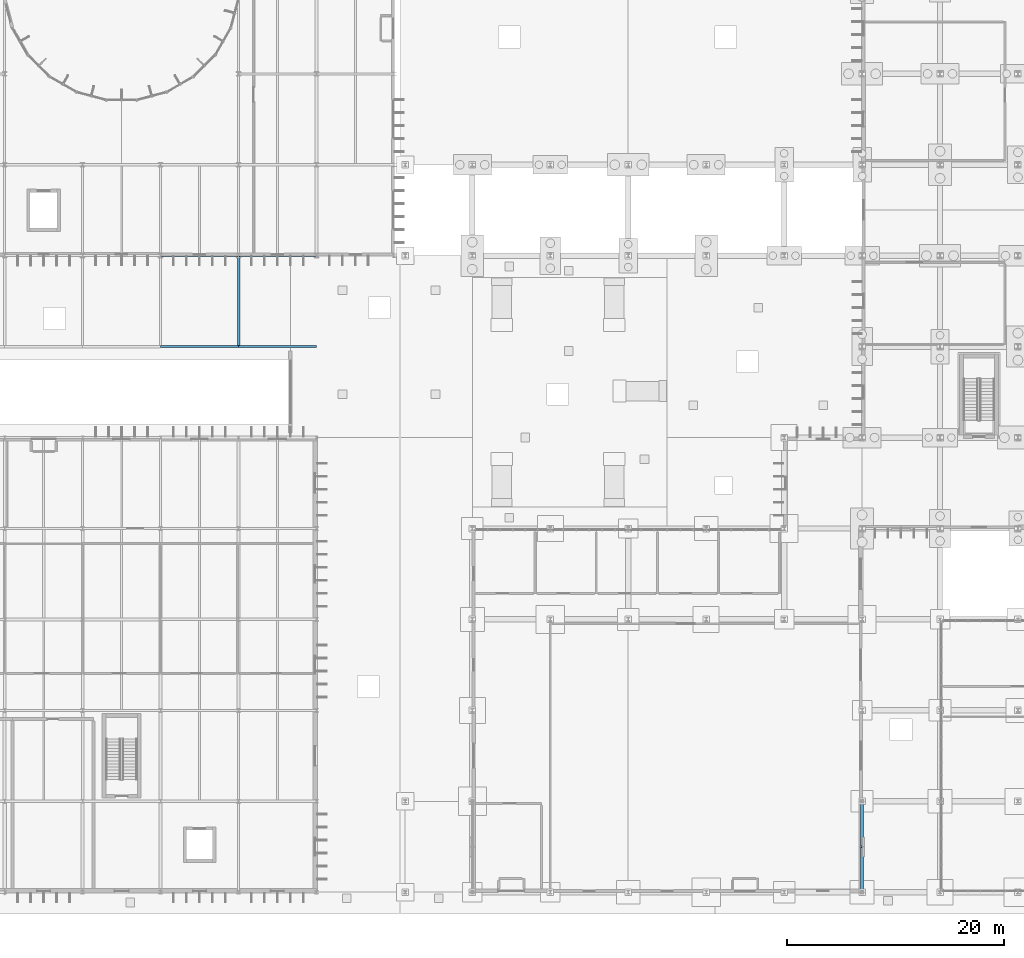
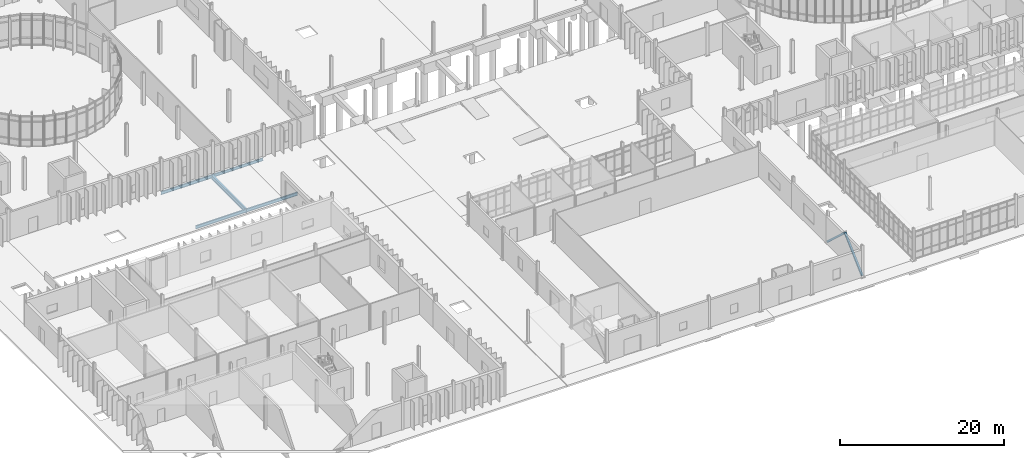
# One storey, part 33 of 118: 5 beams, 2 members.
"""IFC4 building model written with IfcOpenShell, lengths in metres."""

from ifc_helpers import new_model, si_unit, direction, frame, origin, origin_2d, place, context, subcontext, project, spatial, hollow_rectangle, i_section, extrude, material, material_profile, profile_set, type_object, element, save


model = new_model("IFC4")

# Units and contexts
model_context = context("Model", 3, precision=1e-05, world=origin(), true_north=direction((0.0, 1.0)))
body_context = subcontext(model_context, "Body", "Model", "MODEL_VIEW")
ifc_project = project(units=[si_unit("LENGTHUNIT", "METRE"), si_unit("AREAUNIT", "SQUARE_METRE"), si_unit("VOLUMEUNIT", "CUBIC_METRE"), si_unit("PLANEANGLEUNIT", "RADIAN"), si_unit("MASSUNIT", "GRAM", prefix="KILO")], contexts=[model_context])

# Site, building, storey
site_placement = place(None, origin())
site = spatial("IfcSite", under=ifc_project, at=site_placement, CompositionType="ELEMENT")
building_placement = place(site_placement, origin())
building = spatial("IfcBuilding", under=site, at=building_placement, Name="Qelthora Terrace Specialist Clinic", CompositionType="ELEMENT")
storey_placement = place(building_placement, origin())
storey = spatial("IfcBuildingStorey", under=building, at=storey_placement, Name="L00", CompositionType="ELEMENT", Elevation=0.0)

# Beams
ifc_material = material(Name="Steel S355", Category="steel")
ifc_material_profile_1 = material_profile(ifc_material, i_section(OverallWidth=0.178955078125, OverallDepth=0.409912109375, WebThickness=0.0087890625, FlangeThickness=0.014404296875, FilletRadius=0.011962890625, at=origin_2d()), Name="W410X67")
ifc_profile_set_1 = profile_set([ifc_material_profile_1], Name="Steel S355")
beam_type_1 = type_object("IfcBeamType", Name="BM-W410X67", PredefinedType="BEAM", material=ifc_profile_set_1)
beam_1_placement = place(storey_placement, frame((36.0, 58.800048828125, -0.458984375), z_axis=(1.0, 0.0, 0.0), x_axis=(0.0, 1.0, 0.0)))
element("IfcBeam", 1, at=beam_1_placement, inside=storey, type_object=beam_type_1, Name="Girder BMX-L00-0042", PredefinedType="BEAM", context=body_context, shape_type="SweptSolid", body=[
    extrude(i_section(OverallWidth=0.178955078125, OverallDepth=0.409912109375, WebThickness=0.0087890625, FlangeThickness=0.014404296875, FilletRadius=0.011962890625, at=origin_2d()), origin(), (0.0, 0.0, 1.0), 7.199951171875),
])
ifc_material_profile_2 = material_profile(ifc_material, i_section(OverallWidth=0.19091796875, OverallDepth=0.4599609375, WebThickness=0.010009765625, FlangeThickness=0.01611328125, FilletRadius=0.012939453125, at=origin_2d()), Name="W460X82")
ifc_profile_set_2 = profile_set([ifc_material_profile_2], Name="Steel S355")
beam_type_2 = type_object("IfcBeamType", Name="BM-W460X82", PredefinedType="BEAM", material=ifc_profile_set_2)
for number, where, z_axis, x_axis, name in (
    (2, (36.0, 50.39990234375, -0.48388671875), (1.0, 0.0, 0.0), (0.0, 1.0, 0.0), "Girder BMX-L00-0036"),
    (3, (28.800048828125, 58.800048828125, -0.48388671875), (1.0, 0.0, 0.0), (0.0, 1.0, 0.0), "Girder BMX-L00-0041"),
):
    element("IfcBeam", number, at=place(storey_placement, frame(where, z_axis=z_axis, x_axis=x_axis)), inside=storey, type_object=beam_type_2, Name=name, PredefinedType="BEAM", context=body_context, shape_type="SweptSolid", body=[
        extrude(i_section(OverallWidth=0.19091796875, OverallDepth=0.4599609375, WebThickness=0.010009765625, FlangeThickness=0.01611328125, FilletRadius=0.012939453125, at=origin_2d()), origin(), (0.0, 0.0, 1.0), 7.199951171875),
    ])
ifc_material_profile_3 = material_profile(ifc_material, i_section(OverallWidth=0.193115234375, OverallDepth=0.466064453125, WebThickness=0.011474609375, FlangeThickness=0.01904296875, FilletRadius=0.012939453125, at=origin_2d()), Name="W460X97")
ifc_profile_set_3 = profile_set([ifc_material_profile_3], Name="Steel S355")
beam_type_3 = type_object("IfcBeamType", Name="BM-W460X97", PredefinedType="BEAM", material=ifc_profile_set_3)
beam_2_placement = place(storey_placement, frame((28.800048828125, 50.39990234375, -0.487060546875), z_axis=(1.0, 0.0, 0.0), x_axis=(0.0, 1.0, 0.0)))
element("IfcBeam", 4, at=beam_2_placement, inside=storey, type_object=beam_type_3, Name="Girder BMX-L00-0035", PredefinedType="BEAM", context=body_context, shape_type="SweptSolid", body=[
    extrude(i_section(OverallWidth=0.193115234375, OverallDepth=0.466064453125, WebThickness=0.011474609375, FlangeThickness=0.01904296875, FilletRadius=0.012939453125, at=origin_2d()), origin(), (0.0, 0.0, 1.0), 7.199951171875),
])
ifc_material_profile_4 = material_profile(ifc_material, i_section(OverallWidth=0.22998046875, OverallDepth=0.616943359375, WebThickness=0.01318359375, FlangeThickness=0.022216796875, FilletRadius=0.01611328125, at=origin_2d()), Name="W610X140")
ifc_profile_set_4 = profile_set([ifc_material_profile_4], Name="Steel S355")
beam_type_4 = type_object("IfcBeamType", Name="BM-W610X140", PredefinedType="BEAM", material=ifc_profile_set_4)
beam_3_placement = place(storey_placement, frame((36.0, 50.39990234375, -0.5625), z_axis=(0.0, 1.0, 0.0), x_axis=(-1.0, 0.0, 0.0)))
element("IfcBeam", 5, at=beam_3_placement, inside=storey, type_object=beam_type_4, Name="Girder BMY-L00-0114", PredefinedType="BEAM", context=body_context, shape_type="SweptSolid", body=[
    extrude(i_section(OverallWidth=0.22998046875, OverallDepth=0.616943359375, WebThickness=0.01318359375, FlangeThickness=0.022216796875, FilletRadius=0.01611328125, at=origin_2d()), origin(), (0.0, 0.0, 1.0), 8.400146484375),
])

# Members
ifc_material_profile_5 = material_profile(ifc_material, hollow_rectangle(XDim=0.25, YDim=0.25, WallThickness=0.010009765625, at=origin_2d()), Name="HSS250X250X10")
ifc_profile_set_5 = profile_set([ifc_material_profile_5], Name="Steel S355")
member_type = type_object("IfcMemberType", Name="MEM-BRACE-HSS250", PredefinedType="BRACE", material=ifc_profile_set_5)
for number, where, z_axis, x_axis, name in (
    (6, (93.60009765625, 0.0, 0.179931640625), (0.0, 0.73539317044, 0.677640675336), (-1.0, 0.0, 0.0), "Concentric seismic chevron brace B6-L00A"),
    (7, (93.60009765625, 8.39990234375, 0.179931640625), (0.0, -0.73539317044, 0.677640675336), (1.0, 0.0, 0.0), "Concentric seismic chevron brace B6-L00B"),
):
    element("IfcMember", number, at=place(storey_placement, frame(where, z_axis=z_axis, x_axis=x_axis)), inside=storey, type_object=member_type, Name=name, PredefinedType="BRACE", context=body_context, shape_type="SweptSolid", body=[
        extrude(hollow_rectangle(XDim=0.25, YDim=0.25, WallThickness=0.010009765625, at=origin_2d()), origin(), (0.0, 0.0, 1.0), 5.711181640625),
    ])

save(model, "model.ifc")
